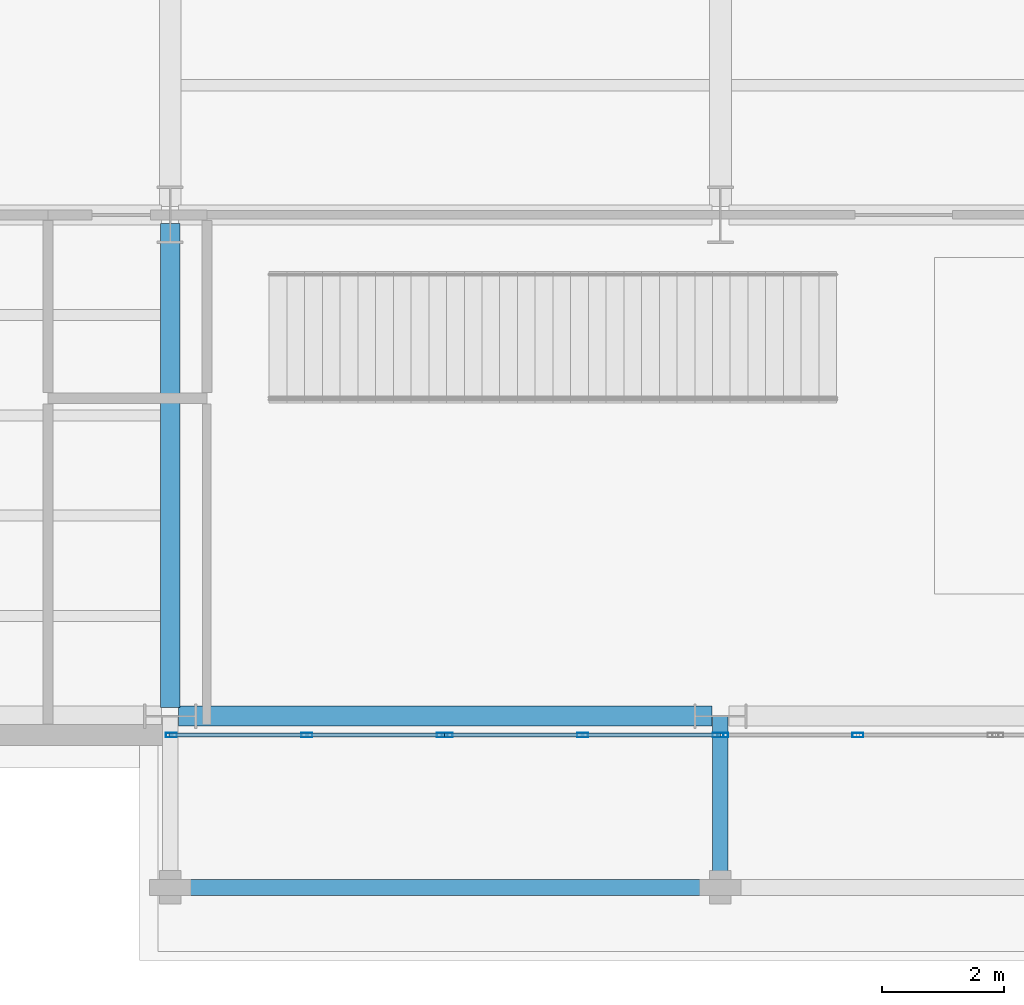
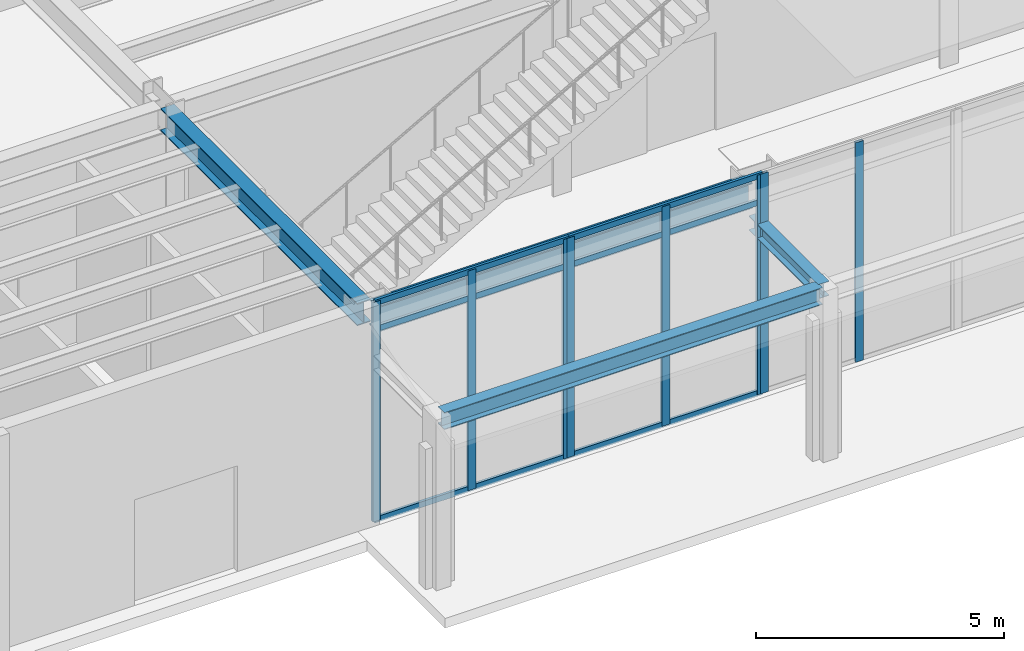
# One storey, part 24 of 94: 14 members, 4 beams, 3 elements without a shape of their own.
"""IFC4 building model written with IfcOpenShell, lengths in metres."""

from ifc_helpers import new_model, si_unit, direction, frame, origin, origin_2d, place, context, subcontext, project, spatial, hollow_rectangle, i_section, extrude, material, layer, layer_set, material_profile, profile_set, type_object, element, aggregate, save


model = new_model("IFC4")

# Units and contexts
model_context = context("Model", 3, precision=1e-05, world=origin(), true_north=direction((0.0, 1.0)))
body_context = subcontext(model_context, "Body", "Model", "MODEL_VIEW")
ifc_project = project(units=[si_unit("LENGTHUNIT", "METRE"), si_unit("AREAUNIT", "SQUARE_METRE"), si_unit("VOLUMEUNIT", "CUBIC_METRE"), si_unit("PLANEANGLEUNIT", "RADIAN"), si_unit("MASSUNIT", "GRAM", prefix="KILO")], contexts=[model_context])

# Site, building, storey
site_placement = place(None, origin())
site = spatial("IfcSite", under=ifc_project, at=site_placement, CompositionType="ELEMENT")
building_placement = place(site_placement, origin())
building = spatial("IfcBuilding", under=site, at=building_placement, Name="Sollismere Congress Hotel", CompositionType="ELEMENT")
storey_placement = place(building_placement, origin())
storey = spatial("IfcBuildingStorey", under=building, at=storey_placement, Name="L00", CompositionType="ELEMENT", Elevation=0.0)

# Beams
ifc_material_1 = material(Name="Steel ASTM A992 Grade 50", Category="steel")
ifc_material_profile_1 = material_profile(ifc_material_1, i_section(OverallWidth=0.31494140625, OverallDepth=0.551025390625, WebThickness=0.01513671875, FlangeThickness=0.0244140625, at=origin_2d()), Name="W21X122")
ifc_profile_set_1 = profile_set([ifc_material_profile_1], Name="Steel ASTM A992 Grade 50")
beam_type_1 = type_object("IfcBeamType", Name="BM-G21H", PredefinedType="BEAM", material=ifc_profile_set_1)
beam_1_placement = place(storey_placement, frame((67.0, 0.139892578125, 4.839599609375), z_axis=(0.0, 1.0, 0.0), x_axis=(-1.0, 0.0, 0.0)))
element("IfcBeam", 1, at=beam_1_placement, inside=storey, type_object=beam_type_1, Name="Beam BM-L00-1256", PredefinedType="BEAM", context=body_context, shape_type="SweptSolid", body=[
    extrude(i_section(OverallWidth=0.31494140625, OverallDepth=0.551025390625, WebThickness=0.01513671875, FlangeThickness=0.0244140625, at=origin_2d()), origin(), (0.0, 0.0, 1.0), 7.920166015625),
])
ifc_material_profile_2 = material_profile(ifc_material_1, i_section(OverallWidth=0.25390625, OverallDepth=0.35595703125, WebThickness=0.010498046875, FlangeThickness=0.018310546875, at=origin_2d()), Name="W14X68")
ifc_profile_set_2 = profile_set([ifc_material_profile_2], Name="Steel ASTM A992 Grade 50")
beam_type_2 = type_object("IfcBeamType", Name="BM-LN14I", PredefinedType="LINTEL", material=ifc_profile_set_2)
beam_2_placement = place(storey_placement, frame((76.0, -2.800048828125, 4.02197265625), z_axis=(0.0, 1.0, 0.0), x_axis=(-1.0, 0.0, 0.0)))
element("IfcBeam", 2, at=beam_2_placement, inside=storey, type_object=beam_type_2, Name="Beam BM-L00-3848", PredefinedType="LINTEL", context=body_context, shape_type="SweptSolid", body=[
    extrude(i_section(OverallWidth=0.25390625, OverallDepth=0.35595703125, WebThickness=0.010498046875, FlangeThickness=0.018310546875, at=origin_2d()), origin(), (0.0, 0.0, 1.0), 2.800048828125),
])
ifc_material_profile_3 = material_profile(ifc_material_1, i_section(OverallWidth=0.261962890625, OverallDepth=0.4189453125, WebThickness=0.01171875, FlangeThickness=0.019287109375, at=origin_2d()), Name="W16X77")
ifc_profile_set_3 = profile_set([ifc_material_profile_3], Name="Steel ASTM A992 Grade 50")
beam_type_3 = type_object("IfcBeamType", Name="BM-LN16E", PredefinedType="LINTEL", material=ifc_profile_set_3)
beam_3_placement = place(storey_placement, frame((67.10009765625, -2.800048828125, 3.990478515625), z_axis=(1.0, 0.0, 0.0), x_axis=(0.0, 1.0, 0.0)))
element("IfcBeam", 3, at=beam_3_placement, inside=storey, type_object=beam_type_3, Name="Beam BM-L00-3843", PredefinedType="LINTEL", context=body_context, shape_type="SweptSolid", body=[
    extrude(i_section(OverallWidth=0.261962890625, OverallDepth=0.4189453125, WebThickness=0.01171875, FlangeThickness=0.019287109375, at=origin_2d()), origin(), (0.0, 0.0, 1.0), 8.7998046875),
])
ifc_material_profile_4 = material_profile(ifc_material_1, i_section(OverallWidth=0.330078125, OverallDepth=0.635009765625, WebThickness=0.017822265625, FlangeThickness=0.031005859375, at=origin_2d()), Name="W24X162")
ifc_profile_set_4 = profile_set([ifc_material_profile_4], Name="Steel ASTM A992 Grade 50")
beam_type_4 = type_object("IfcBeamType", Name="BM-SP24E", PredefinedType="SPANDREL", material=ifc_profile_set_4)
beam_4_placement = place(storey_placement, frame((67.139892578125, 0.0, 4.797607421875), z_axis=(1.0, 0.0, 0.0), x_axis=(0.0, 1.0, 0.0)))
element("IfcBeam", 4, at=beam_4_placement, inside=storey, type_object=beam_type_4, Name="Beam BM-L00-1128", PredefinedType="SPANDREL", context=body_context, shape_type="SweptSolid", body=[
    extrude(i_section(OverallWidth=0.330078125, OverallDepth=0.635009765625, WebThickness=0.017822265625, FlangeThickness=0.031005859375, at=origin_2d()), origin(), (0.0, 0.0, 1.0), 8.72021484375),
])

# Curtain wall, members
ifc_material_2 = material(Name="Anodized Bronze Curtain Wall & Low-E Triple Glazing", Category="glass")
ifc_layer = layer(ifc_material_2, 0.199951171875, Name="Anodized Bronze Curtain Wall & Low-E Triple Glazing")
ifc_layer_set = layer_set([ifc_layer], Name="Anodized Bronze Curtain Wall & Low-E Triple Glazing")
curtain_wall_type = type_object("IfcCurtainWallType", Name="CW-GLZ36", PredefinedType="USERDEFINED", material=ifc_layer_set)
curtain_wall_1_placement = place(storey_placement, origin())
curtain_wall_1 = element("IfcCurtainWall", 5, at=curtain_wall_1_placement, inside=storey, type_object=curtain_wall_type, Name="Unitised curtain wall CW-L00-147", ObjectType="UNITISED CURTAIN WALL", PredefinedType="USERDEFINED")
ifc_material_3 = material(Name="Anodized Aluminum 6063-T6", Category="aluminium")
ifc_material_profile_5 = material_profile(ifc_material_3, hollow_rectangle(XDim=0.074951171875, YDim=0.179931640625, WallThickness=0.0048828125, at=origin_2d()), Name="ALU180X75X5")
ifc_profile_set_5 = profile_set([ifc_material_profile_5], Name="Anodized Aluminum 6063-T6")
member_type_1 = type_object("IfcMemberType", Name="ML-CW180", PredefinedType="MULLION", material=ifc_profile_set_5)
member_1_placement = place(storey_placement, frame((67.01806640625, -0.31005859375, 0.0), z_axis=(0.0, 0.0, 1.0), x_axis=(0.0, 1.0, 0.0)))
member_1 = element("IfcMember", 6, at=member_1_placement, type_object=member_type_1, Name="CWL-CW-L00-147-ML01", PredefinedType="MULLION", context=body_context, shape_type="SweptSolid", body=[
    extrude(hollow_rectangle(XDim=0.074951171875, YDim=0.179931640625, WallThickness=0.0048828125, at=origin_2d()), origin(), (0.0, 0.0, 1.0), 5.39990234375),
])
member_2_placement = place(storey_placement, frame((69.235107421875, -0.31005859375, 0.0), z_axis=(0.0, 0.0, 1.0), x_axis=(0.0, 1.0, 0.0)))
member_2 = element("IfcMember", 7, at=member_2_placement, type_object=member_type_1, Name="CWL-CW-L00-147-ML02", PredefinedType="MULLION", context=body_context, shape_type="SweptSolid", body=[
    extrude(hollow_rectangle(XDim=0.074951171875, YDim=0.179931640625, WallThickness=0.0048828125, at=origin_2d()), origin(), (0.0, 0.0, 1.0), 5.39990234375),
])
member_3_placement = place(storey_placement, frame((71.451904296875, -0.31005859375, 0.0), z_axis=(0.0, 0.0, 1.0), x_axis=(0.0, 1.0, 0.0)))
member_3 = element("IfcMember", 8, at=member_3_placement, type_object=member_type_1, Name="CWL-CW-L00-147-ML03", PredefinedType="MULLION", context=body_context, shape_type="SweptSolid", body=[
    extrude(hollow_rectangle(XDim=0.074951171875, YDim=0.179931640625, WallThickness=0.0048828125, at=origin_2d()), origin(), (0.0, 0.0, 1.0), 5.39990234375),
])

curtain_wall_2_placement = place(storey_placement, origin())
curtain_wall_2 = element("IfcCurtainWall", 9, at=curtain_wall_2_placement, inside=storey, type_object=curtain_wall_type, Name="Unitised curtain wall CW-L00-148", ObjectType="UNITISED CURTAIN WALL", PredefinedType="USERDEFINED")
member_4_placement = place(storey_placement, frame((71.528076171875, -0.31005859375, 0.0), z_axis=(0.0, 0.0, 1.0), x_axis=(0.0, 1.0, 0.0)))
member_4 = element("IfcMember", 10, at=member_4_placement, type_object=member_type_1, Name="CWL-CW-L00-148-ML01", PredefinedType="MULLION", context=body_context, shape_type="SweptSolid", body=[
    extrude(hollow_rectangle(XDim=0.074951171875, YDim=0.179931640625, WallThickness=0.0048828125, at=origin_2d()), origin(), (0.0, 0.0, 1.0), 5.39990234375),
])
member_5_placement = place(storey_placement, frame((73.7451171875, -0.31005859375, 0.0), z_axis=(0.0, 0.0, 1.0), x_axis=(0.0, 1.0, 0.0)))
member_5 = element("IfcMember", 11, at=member_5_placement, type_object=member_type_1, Name="CWL-CW-L00-148-ML02", PredefinedType="MULLION", context=body_context, shape_type="SweptSolid", body=[
    extrude(hollow_rectangle(XDim=0.074951171875, YDim=0.179931640625, WallThickness=0.0048828125, at=origin_2d()), origin(), (0.0, 0.0, 1.0), 5.39990234375),
])
member_6_placement = place(storey_placement, frame((75.9619140625, -0.31005859375, 0.0), z_axis=(0.0, 0.0, 1.0), x_axis=(0.0, 1.0, 0.0)))
member_6 = element("IfcMember", 12, at=member_6_placement, type_object=member_type_1, Name="CWL-CW-L00-148-ML03", PredefinedType="MULLION", context=body_context, shape_type="SweptSolid", body=[
    extrude(hollow_rectangle(XDim=0.074951171875, YDim=0.179931640625, WallThickness=0.0048828125, at=origin_2d()), origin(), (0.0, 0.0, 1.0), 5.39990234375),
])

curtain_wall_3_placement = place(storey_placement, origin())
curtain_wall_3 = element("IfcCurtainWall", 13, at=curtain_wall_3_placement, inside=storey, type_object=curtain_wall_type, Name="Unitised curtain wall CW-L00-149", ObjectType="UNITISED CURTAIN WALL", PredefinedType="USERDEFINED")
member_7_placement = place(storey_placement, frame((76.0380859375, -0.31005859375, 0.0), z_axis=(0.0, 0.0, 1.0), x_axis=(0.0, 1.0, 0.0)))
member_7 = element("IfcMember", 14, at=member_7_placement, type_object=member_type_1, Name="CWL-CW-L00-149-ML01", PredefinedType="MULLION", context=body_context, shape_type="SweptSolid", body=[
    extrude(hollow_rectangle(XDim=0.074951171875, YDim=0.179931640625, WallThickness=0.0048828125, at=origin_2d()), origin(), (0.0, 0.0, 1.0), 5.39990234375),
])
member_8_placement = place(storey_placement, frame((78.25, -0.31005859375, 0.0), z_axis=(0.0, 0.0, 1.0), x_axis=(0.0, 1.0, 0.0)))
member_8 = element("IfcMember", 15, at=member_8_placement, type_object=member_type_1, Name="CWL-CW-L00-149-ML02", PredefinedType="MULLION", context=body_context, shape_type="SweptSolid", body=[
    extrude(hollow_rectangle(XDim=0.074951171875, YDim=0.179931640625, WallThickness=0.0048828125, at=origin_2d()), origin(), (0.0, 0.0, 1.0), 5.39990234375),
])
aggregate(curtain_wall_3, [member_7, member_8])

# Member
ifc_material_profile_6 = material_profile(ifc_material_3, hollow_rectangle(XDim=0.06494140625, YDim=0.139892578125, WallThickness=0.00390625, at=origin_2d()), Name="ALU140X65X4")
ifc_profile_set_6 = profile_set([ifc_material_profile_6], Name="Anodized Aluminum 6063-T6")
member_type_2 = type_object("IfcMemberType", Name="TR-CW150", PredefinedType="MEMBER", material=ifc_profile_set_6)
member_9_placement = place(storey_placement, frame((66.97998046875, -0.31005859375, 0.032470703125), z_axis=(1.0, 0.0, 0.0), x_axis=(0.0, 1.0, 0.0)))
member_9 = element("IfcMember", 16, at=member_9_placement, type_object=member_type_2, Name="CWL-CW-L00-147-TR1", PredefinedType="MEMBER", context=body_context, shape_type="SweptSolid", body=[
    extrude(hollow_rectangle(XDim=0.06494140625, YDim=0.139892578125, WallThickness=0.00390625, at=origin_2d()), origin(), (0.0, 0.0, 1.0), 4.510009765625),
])

member_10_placement = place(storey_placement, frame((66.97998046875, -0.31005859375, 4.719970703125), z_axis=(1.0, 0.0, 0.0), x_axis=(0.0, 1.0, 0.0)))
member_10 = element("IfcMember", 17, at=member_10_placement, type_object=member_type_2, Name="CWL-CW-L00-147-TR2", PredefinedType="MEMBER", context=body_context, shape_type="SweptSolid", body=[
    extrude(hollow_rectangle(XDim=0.06494140625, YDim=0.139892578125, WallThickness=0.00390625, at=origin_2d()), origin(), (0.0, 0.0, 1.0), 4.510009765625),
])

member_11_placement = place(storey_placement, frame((66.97998046875, -0.31005859375, 5.367431640625), z_axis=(1.0, 0.0, 0.0), x_axis=(0.0, 1.0, 0.0)))
member_11 = element("IfcMember", 18, at=member_11_placement, type_object=member_type_2, Name="CWL-CW-L00-147-TR3", PredefinedType="MEMBER", context=body_context, shape_type="SweptSolid", body=[
    extrude(hollow_rectangle(XDim=0.06494140625, YDim=0.139892578125, WallThickness=0.00390625, at=origin_2d()), origin(), (0.0, 0.0, 1.0), 4.510009765625),
])

aggregate(curtain_wall_1, [member_1, member_2, member_3, member_9, member_10, member_11])

member_12_placement = place(storey_placement, frame((71.489990234375, -0.31005859375, 0.032470703125), z_axis=(1.0, 0.0, 0.0), x_axis=(0.0, 1.0, 0.0)))
member_12 = element("IfcMember", 19, at=member_12_placement, type_object=member_type_2, Name="CWL-CW-L00-148-TR1", PredefinedType="MEMBER", context=body_context, shape_type="SweptSolid", body=[
    extrude(hollow_rectangle(XDim=0.06494140625, YDim=0.139892578125, WallThickness=0.00390625, at=origin_2d()), origin(), (0.0, 0.0, 1.0), 4.510009765625),
])

member_13_placement = place(storey_placement, frame((71.489990234375, -0.31005859375, 4.719970703125), z_axis=(1.0, 0.0, 0.0), x_axis=(0.0, 1.0, 0.0)))
member_13 = element("IfcMember", 20, at=member_13_placement, type_object=member_type_2, Name="CWL-CW-L00-148-TR2", PredefinedType="MEMBER", context=body_context, shape_type="SweptSolid", body=[
    extrude(hollow_rectangle(XDim=0.06494140625, YDim=0.139892578125, WallThickness=0.00390625, at=origin_2d()), origin(), (0.0, 0.0, 1.0), 4.510009765625),
])

member_14_placement = place(storey_placement, frame((71.489990234375, -0.31005859375, 5.367431640625), z_axis=(1.0, 0.0, 0.0), x_axis=(0.0, 1.0, 0.0)))
member_14 = element("IfcMember", 21, at=member_14_placement, type_object=member_type_2, Name="CWL-CW-L00-148-TR3", PredefinedType="MEMBER", context=body_context, shape_type="SweptSolid", body=[
    extrude(hollow_rectangle(XDim=0.06494140625, YDim=0.139892578125, WallThickness=0.00390625, at=origin_2d()), origin(), (0.0, 0.0, 1.0), 4.510009765625),
])

aggregate(curtain_wall_2, [member_4, member_5, member_6, member_12, member_13, member_14])

save(model, "model.ifc")
